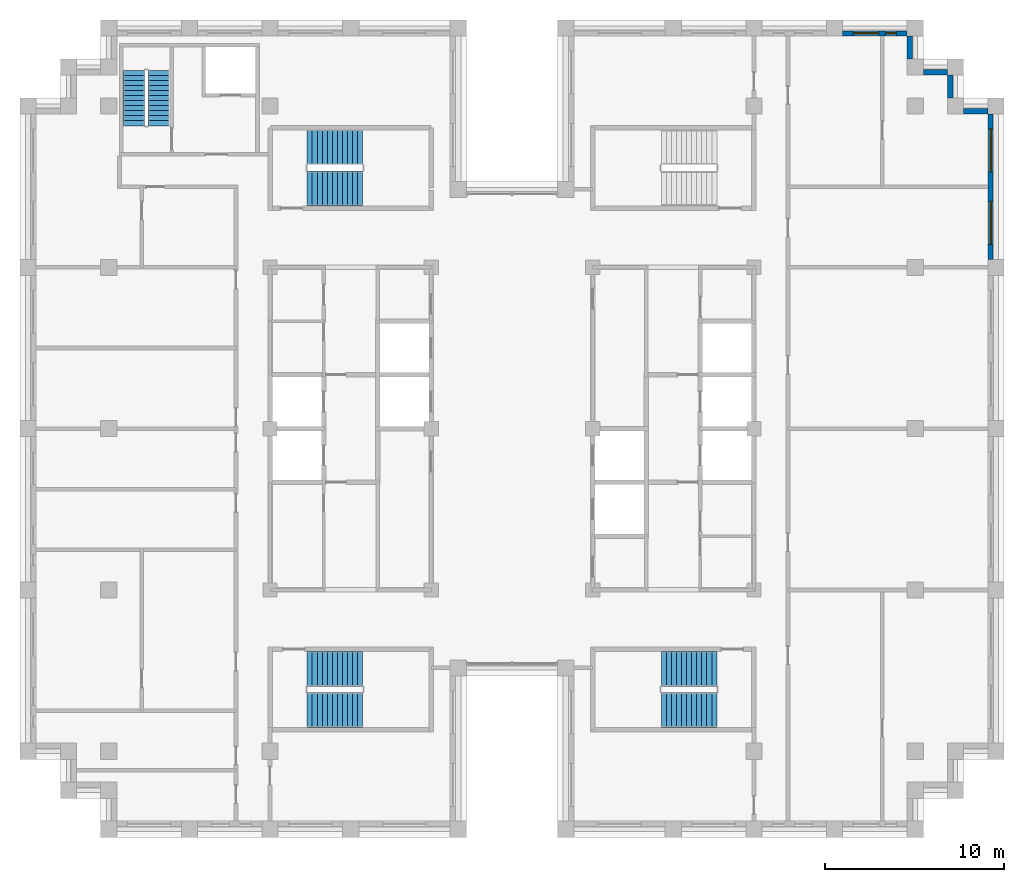
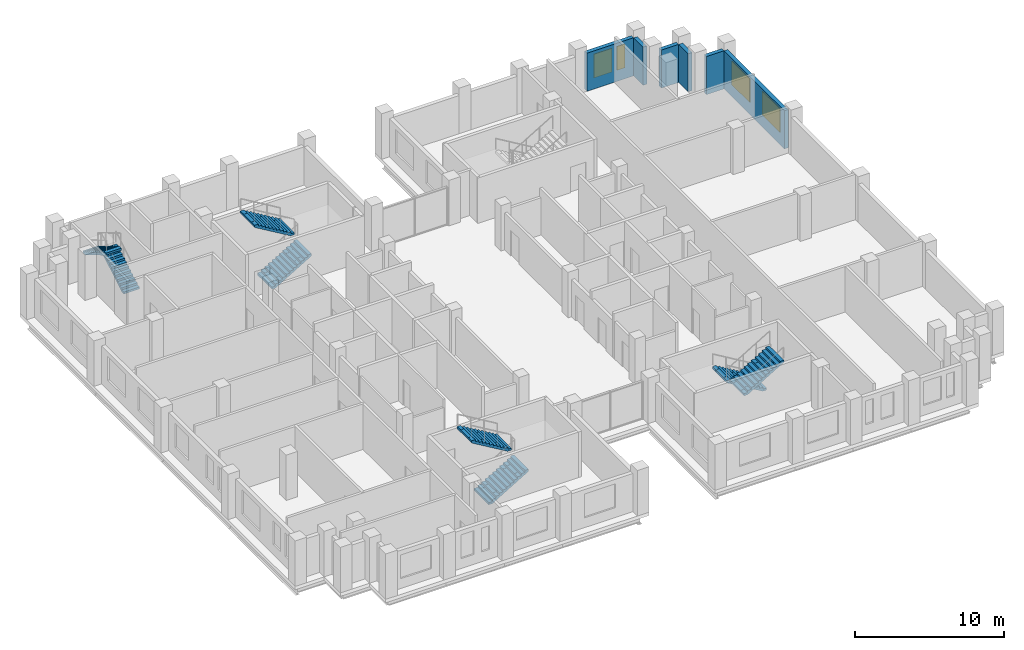
# One storey, part 11 of 13: 8 stair flights, 6 walls, 4 windows, 4 openings, 4 elements without a shape of their own.
"""IFC4 building model written with IfcOpenShell, lengths in metres."""

import ifcopenshell
import ifcopenshell.guid

model = None  # the IFC model being written
_history = None  # IfcOwnerHistory: only IFC2X3 demands one
_inside = {}  # id of a spatial element -> (the spatial element, [elements in it])
_under = {}  # id of a project, library or spatial element -> (it, [spatial elements below it])
_declared = {}  # id of a project -> (the project, [libraries it declares])
_typed = {}  # id of a type object -> (the type object, [elements of that type])
_made_of = {}  # id of a material, layer set ... -> (it, [elements and type objects made of it])


def new_model(schema):
    """Start an empty IFC model of exactly this schema.

    Asked for "IFC4X3", IfcOpenShell would pick the latest addendum, in which some entities
    have other attributes; the version numbers below select the first issue.
    IFC2X3 requires an IfcOwnerHistory on every rooted entity: one is made here for all.
    """
    global model, _history
    if schema == "IFC4X3":
        model = ifcopenshell.file(schema_version=(4, 3, 0, 0))
    else:
        model = ifcopenshell.file(schema=schema)
    _inside.clear()
    _under.clear()
    _declared.clear()
    _typed.clear()
    _made_of.clear()
    _history = None
    if model.schema == "IFC2X3":
        org = make("IfcOrganization", Name="unknown")
        user = make(
            "IfcPersonAndOrganization",
            ThePerson=make("IfcPerson", FamilyName="unknown"),
            TheOrganization=org,
        )
        app = make(
            "IfcApplication",
            ApplicationDeveloper=org,
            Version="unknown",
            ApplicationFullName="unknown",
            ApplicationIdentifier="unknown",
        )
        _history = make(
            "IfcOwnerHistory",
            OwningUser=user,
            OwningApplication=app,
            ChangeAction="ADDED",
            CreationDate=0,
        )
    return model


def make(cls, **values):
    """One entity of the class cls with the attributes given. An attribute that is None is left unset."""
    return model.create_entity(
        cls, **{name: value for name, value in values.items() if value is not None}
    )


def rooted(cls, **values):
    """An entity with a GlobalId (a new one), such as an element, a storey or a relation."""
    return make(cls, GlobalId=ifcopenshell.guid.new(), OwnerHistory=_history, **values)


def si_unit(unit_type, name, prefix=None):
    """IfcSIUnit, for example si_unit("LENGTHUNIT", "METRE", prefix="MILLI")."""
    return make("IfcSIUnit", UnitType=unit_type, Prefix=prefix, Name=name)


def assignment(units):
    """IfcUnitAssignment: the units of a project."""
    return None if units is None else make("IfcUnitAssignment", Units=units)


def point(xyz):
    """IfcCartesianPoint."""
    return None if xyz is None else make("IfcCartesianPoint", Coordinates=xyz)


def direction(xyz):
    """IfcDirection."""
    return None if xyz is None else make("IfcDirection", DirectionRatios=xyz)


def frame(location, z_axis=None, x_axis=None):
    """IfcAxis2Placement3D, a coordinate frame: its origin and axes. An axis left out is left unset."""
    return make(
        "IfcAxis2Placement3D",
        Location=point(location),
        Axis=direction(z_axis),
        RefDirection=direction(x_axis),
    )


def frame_2d(location, x_axis=None):
    """IfcAxis2Placement2D, a coordinate frame in the plane: its origin and x axis."""
    return make(
        "IfcAxis2Placement2D", Location=point(location), RefDirection=direction(x_axis)
    )


def origin():
    """The frame at (0, 0, 0) with its axes left unset."""
    return frame((0.0, 0.0, 0.0))


def place(relative_to, where):
    """IfcLocalPlacement: puts the frame where relative to a parent placement (None: the world)."""
    return make(
        "IfcLocalPlacement", PlacementRelTo=relative_to, RelativePlacement=where
    )


def context(
    kind, dimensions, precision=None, world=None, true_north=None, identifier=None
):
    """IfcGeometricRepresentationContext, for example the 3D "Model" context."""
    return make(
        "IfcGeometricRepresentationContext",
        ContextIdentifier=identifier,
        ContextType=kind,
        CoordinateSpaceDimension=dimensions,
        Precision=precision,
        WorldCoordinateSystem=world,
        TrueNorth=true_north,
    )


def subcontext(parent, identifier, kind, view, scale=None):
    """IfcGeometricRepresentationSubContext, for example "Body" below "Model"."""
    return make(
        "IfcGeometricRepresentationSubContext",
        ContextIdentifier=identifier,
        ContextType=kind,
        ParentContext=parent,
        TargetScale=scale,
        TargetView=view,
    )


def project(units=None, contexts=None):
    """IfcProject with its units and contexts."""
    return rooted(
        "IfcProject",
        Name="project",
        RepresentationContexts=contexts,
        UnitsInContext=assignment(units),
    )


def spatial(cls, under=None, at=None, **own):
    """A site, building, storey or space (cls), placed at a placement, below another one or the project."""
    s = rooted(cls, ObjectPlacement=at, **own)
    if under is not None:
        _under.setdefault(under.id(), (under, []))[1].append(s)
    return s


def polyline(points):
    """IfcPolyline through the points."""
    return make("IfcPolyline", Points=[point(p) for p in points])


def profile(cls, at=None, kind="AREA", **sizes):
    """A parametric profile (cls). Its sizes go by their IFC names, for example OverallWidth=200.0."""
    return make(cls, ProfileType=kind, Position=at, **sizes)


def rectangle(**sizes):
    """IfcRectangleProfileDef."""
    return profile("IfcRectangleProfileDef", **sizes)


def outline(outer, holes=None, kind="AREA"):
    """IfcArbitraryClosedProfileDef: a profile drawn as a closed curve; with holes, ...WithVoids."""
    if holes is None:
        return make("IfcArbitraryClosedProfileDef", ProfileType=kind, OuterCurve=outer)
    return make(
        "IfcArbitraryProfileDefWithVoids",
        ProfileType=kind,
        OuterCurve=outer,
        InnerCurves=holes,
    )


def extrude(swept, where, along, depth):
    """IfcExtrudedAreaSolid: the profile swept, set in the frame where, extruded along a direction by depth."""
    return make(
        "IfcExtrudedAreaSolid",
        SweptArea=swept,
        Position=where,
        ExtrudedDirection=direction(along),
        Depth=depth,
    )


def shape(context_of_items, identifier, shape_type, items):
    """IfcShapeRepresentation: the items that make up one representation, for example the "Body"."""
    return make(
        "IfcShapeRepresentation",
        ContextOfItems=context_of_items,
        RepresentationIdentifier=identifier,
        RepresentationType=shape_type,
        Items=items,
    )


def material(Name=None, Category=None):
    """IfcMaterial."""
    return make("IfcMaterial", Name=Name, Category=Category)


def layer(
    of_material, thickness, ventilated=None, Name=None, Category=None, Priority=None
):
    """IfcMaterialLayer: one layer of a wall or slab, of a material (None: an air gap)."""
    return make(
        "IfcMaterialLayer",
        Material=of_material,
        LayerThickness=thickness,
        IsVentilated=ventilated,
        Name=Name,
        Category=Category,
        Priority=Priority,
    )


def layer_set(layers, Name=None):
    """IfcMaterialLayerSet."""
    return make("IfcMaterialLayerSet", MaterialLayers=layers, LayerSetName=Name)


def made_of(thing, what):
    """Note that an element or type object is made of a material, layer set ...; save() writes the relation."""
    if what is not None:
        _made_of.setdefault(what.id(), (what, []))[1].append(thing)
    return thing


def type_object(cls, material=None, **own):
    """A type object (cls), such as IfcWallType, which elements share."""
    return made_of(rooted(cls, **own), material)


def element(
    cls,
    number,
    at=None,
    inside=None,
    cuts=None,
    type_object=None,
    material=None,
    context=None,
    identifier="Body",
    shape_type=None,
    held_by="IfcProductDefinitionShape",
    body=None,
    shapes=None,
    **own,
):
    """One element of the class cls, such as IfcWall. Its Tag is "e" and its number.

    at: its placement. inside: the storey or other place that contains it. cuts: it is an
    opening in that element (IfcRelVoidsElement). A single representation is given by context,
    identifier, shape_type and body (its items); several are given by shapes. held_by: the class
    of the entity that holds the representations. save() writes the other relations.
    """
    e = rooted(cls, Tag="e%d" % number, ObjectPlacement=at, **own)
    if body is not None:
        shapes = [shape(context, identifier, shape_type, body)]
    if shapes is not None:
        e.Representation = make(held_by, Representations=shapes)
    if inside is not None:
        _inside.setdefault(inside.id(), (inside, []))[1].append(e)
    if cuts is not None:
        rooted(
            "IfcRelVoidsElement", RelatingBuildingElement=cuts, RelatedOpeningElement=e
        )
    if type_object is not None:
        _typed.setdefault(type_object.id(), (type_object, []))[1].append(e)
    return made_of(e, material)


def fill(opening, filler):
    """IfcRelFillsElement: the door or window that sits in an opening."""
    return rooted(
        "IfcRelFillsElement",
        RelatingOpeningElement=opening,
        RelatedBuildingElement=filler,
    )


def aggregate(whole, parts):
    """IfcRelAggregates: a whole, such as a stair, and the parts it consists of."""
    return rooted("IfcRelAggregates", RelatingObject=whole, RelatedObjects=parts)


def save(model, path):
    """Write the relations noted so far, then the file.

    IfcRelAggregates (storeys below a building ...), IfcRelContainedInSpatialStructure (elements
    in a storey), IfcRelDefinesByType, IfcRelAssociatesMaterial and IfcRelDeclares: one each for
    every whole, place, type object, material and project.
    """
    for whole, parts in _under.values():
        aggregate(whole, parts)
    for where, things in _inside.values():
        rooted(
            "IfcRelContainedInSpatialStructure",
            RelatedElements=things,
            RelatingStructure=where,
        )
    for kind, things in _typed.values():
        rooted("IfcRelDefinesByType", RelatedObjects=things, RelatingType=kind)
    for what, things in _made_of.values():
        rooted("IfcRelAssociatesMaterial", RelatedObjects=things, RelatingMaterial=what)
    for by, libraries in _declared.values():
        rooted("IfcRelDeclares", RelatingContext=by, RelatedDefinitions=libraries)
    model.write(path)


model = new_model("IFC4")

# Units and contexts
model_context = context("Model", 3, precision=1e-05, world=origin(), true_north=direction((0.0, 1.0)))
body_context = subcontext(model_context, "Body", "Model", "MODEL_VIEW")
ifc_project = project(units=[si_unit("LENGTHUNIT", "METRE"), si_unit("AREAUNIT", "SQUARE_METRE"), si_unit("VOLUMEUNIT", "CUBIC_METRE"), si_unit("PLANEANGLEUNIT", "RADIAN"), si_unit("MASSUNIT", "GRAM", prefix="KILO")], contexts=[model_context])

# Site, building, storey
site_placement = place(None, origin())
site = spatial("IfcSite", under=ifc_project, at=site_placement, CompositionType="ELEMENT")
building_placement = place(site_placement, origin())
building = spatial("IfcBuilding", under=site, at=building_placement, Name="Corbelhall Arena Tower", CompositionType="ELEMENT")
storey_placement = place(building_placement, frame((0.0, 0.0, 282.0)))
storey = spatial("IfcBuildingStorey", under=building, at=storey_placement, Name="L61", CompositionType="ELEMENT", Elevation=282.0)

# Wall, openings, windows
ifc_material_1 = material(Name="Precast concrete C40/50 with granite facing", Category="masonry")
ifc_layer = layer(ifc_material_1, 0.300048828125)
ifc_layer_set = layer_set([ifc_layer], Name="EV-IW1 Infill panel 300")
wall_type = type_object("IfcWallType", Name="EV-IW1 Infill panel 300", PredefinedType="SOLIDWALL", material=ifc_layer_set)
wall_1_placement = place(storey_placement, frame((26.699951171875, 9.449951171875, 0.0), z_axis=(0.0, 0.0, 1.0), x_axis=(0.0, 1.0, 0.0)))
wall_1 = element("IfcWall", 1, at=wall_1_placement, inside=storey, type_object=wall_type, Name="Infill panel IW1", PredefinedType="SOLIDWALL", context=body_context, shape_type="SweptSolid", body=[
    extrude(rectangle(XDim=8.10009765625, YDim=0.300048828125, at=frame_2d((4.050048828125, 0.0))), origin(), (0.0, 0.0, 1.0), 3.1201171875),
])
opening_1_placement = place(wall_1_placement, frame((0.824951171875, 0.0, 0.800048828125)))
opening_1 = element("IfcOpeningElement", 2, at=opening_1_placement, cuts=wall_1, Name="Opening WN1", PredefinedType="OPENING", context=body_context, shape_type="SweptSolid", body=[
    extrude(rectangle(XDim=2.39990234375, YDim=1.949951171875, at=frame_2d((1.199951171875, 0.97509765625))), frame((0.0, 0.14990234375, 0.0), z_axis=(0.0, -1.0, 0.0), x_axis=(1.0, 0.0, 0.0)), (0.0, 0.0, 1.0), 0.300048828125),
])
opening_2_placement = place(wall_1_placement, frame((4.875, 0.0, 0.800048828125)))
opening_2 = element("IfcOpeningElement", 3, at=opening_2_placement, cuts=wall_1, Name="Opening WN1", PredefinedType="OPENING", context=body_context, shape_type="SweptSolid", body=[
    extrude(rectangle(XDim=2.39990234375, YDim=1.949951171875, at=frame_2d((1.199951171875, 0.97509765625))), frame((0.0, 0.14990234375, 0.0), z_axis=(0.0, -1.0, 0.0), x_axis=(1.0, 0.0, 0.0)), (0.0, 0.0, 1.0), 0.300048828125),
])
ifc_material_2 = material(Name="Aluminium black anodised", Category="aluminium")
window_type_1 = type_object("IfcWindowType", Name="EV-WN1 Office window", PartitioningType="SINGLE_PANEL", PredefinedType="WINDOW", material=ifc_material_2)
window_1_placement = place(opening_1_placement, origin())
window_1 = element("IfcWindow", 4, at=window_1_placement, inside=storey, type_object=window_type_1, Name="Window WN1", OverallHeight=1.949951171875, OverallWidth=2.39990234375, PartitioningType="SINGLE_PANEL", PredefinedType="WINDOW", context=body_context, shape_type="SweptSolid", body=[
    extrude(rectangle(XDim=2.39990234375, YDim=1.949951171875, at=frame_2d((1.199951171875, 0.97509765625))), frame((0.0, 0.030029296875, 0.0), z_axis=(0.0, -1.0, 0.0), x_axis=(1.0, 0.0, 0.0)), (0.0, 0.0, 1.0), 0.06005859375),
])
fill(opening_1, window_1)
window_2_placement = place(opening_2_placement, origin())
window_2 = element("IfcWindow", 5, at=window_2_placement, inside=storey, type_object=window_type_1, Name="Window WN1", OverallHeight=1.949951171875, OverallWidth=2.39990234375, PartitioningType="SINGLE_PANEL", PredefinedType="WINDOW", context=body_context, shape_type="SweptSolid", body=[
    extrude(rectangle(XDim=2.39990234375, YDim=1.949951171875, at=frame_2d((1.199951171875, 0.97509765625))), frame((0.0, 0.030029296875, 0.0), z_axis=(0.0, -1.0, 0.0), x_axis=(1.0, 0.0, 0.0)), (0.0, 0.0, 1.0), 0.06005859375),
])
fill(opening_2, window_2)

# Walls
wall_2_placement = place(storey_placement, frame((26.550048828125, 17.699951171875, 0.0), z_axis=(0.0, 0.0, 1.0), x_axis=(-1.0, 0.0, 0.0)))
element("IfcWall", 6, at=wall_2_placement, inside=storey, type_object=wall_type, Name="Infill panel IW1", PredefinedType="SOLIDWALL", context=body_context, shape_type="SweptSolid", body=[
    extrude(rectangle(XDim=1.35009765625, YDim=0.300048828125, at=frame_2d((0.675048828125, 0.0))), origin(), (0.0, 0.0, 1.0), 3.1201171875),
])
wall_3_placement = place(storey_placement, frame((24.449951171875, 18.449951171875, 0.0), z_axis=(0.0, 0.0, 1.0), x_axis=(0.0, 1.0, 0.0)))
element("IfcWall", 7, at=wall_3_placement, inside=storey, type_object=wall_type, Name="Infill panel IW1", PredefinedType="SOLIDWALL", context=body_context, shape_type="SweptSolid", body=[
    extrude(rectangle(XDim=1.275146484375, YDim=0.300048828125, at=frame_2d((0.6376953125, 0.0))), origin(), (0.0, 0.0, 1.0), 3.1201171875),
])
wall_4_placement = place(storey_placement, frame((24.300048828125, 19.875, 0.0), z_axis=(0.0, 0.0, 1.0), x_axis=(-1.0, 0.0, 0.0)))
element("IfcWall", 8, at=wall_4_placement, inside=storey, type_object=wall_type, Name="Infill panel IW1", PredefinedType="SOLIDWALL", context=body_context, shape_type="SweptSolid", body=[
    extrude(rectangle(XDim=1.35009765625, YDim=0.300048828125, at=frame_2d((0.675048828125, 0.0))), origin(), (0.0, 0.0, 1.0), 3.1201171875),
])
wall_5_placement = place(storey_placement, frame((22.199951171875, 20.625, 0.0), z_axis=(0.0, 0.0, 1.0), x_axis=(0.0, 1.0, 0.0)))
element("IfcWall", 9, at=wall_5_placement, inside=storey, type_object=wall_type, Name="Infill panel IW1", PredefinedType="SOLIDWALL", context=body_context, shape_type="SweptSolid", body=[
    extrude(rectangle(XDim=1.27490234375, YDim=0.300048828125, at=frame_2d((0.637451171875, 0.0))), origin(), (0.0, 0.0, 1.0), 3.1201171875),
])

# Wall, openings, windows
wall_6_placement = place(storey_placement, frame((22.050048828125, 22.050048828125, 0.0), z_axis=(0.0, 0.0, 1.0), x_axis=(-1.0, 0.0, 0.0)))
wall_6 = element("IfcWall", 10, at=wall_6_placement, inside=storey, type_object=wall_type, Name="Infill panel IW1", PredefinedType="SOLIDWALL", context=body_context, shape_type="SweptSolid", body=[
    extrude(rectangle(XDim=3.60009765625, YDim=0.300048828125, at=frame_2d((1.800048828125, 0.0))), origin(), (0.0, 0.0, 1.0), 3.1201171875),
])
opening_3_placement = place(wall_6_placement, frame((0.60009765625, 0.0, 0.800048828125)))
opening_3 = element("IfcOpeningElement", 11, at=opening_3_placement, cuts=wall_6, Name="Opening WN5", PredefinedType="OPENING", context=body_context, shape_type="SweptSolid", body=[
    extrude(rectangle(XDim=0.60009765625, YDim=1.949951171875, at=frame_2d((0.300048828125, 0.97509765625))), frame((0.0, 0.14990234375, 0.0), z_axis=(0.0, -1.0, 0.0), x_axis=(1.0, 0.0, 0.0)), (0.0, 0.0, 1.0), 0.300048828125),
])
opening_4_placement = place(wall_6_placement, frame((1.60009765625, 0.0, 0.800048828125)))
opening_4 = element("IfcOpeningElement", 12, at=opening_4_placement, cuts=wall_6, Name="Opening WN7", PredefinedType="OPENING", context=body_context, shape_type="SweptSolid", body=[
    extrude(rectangle(XDim=1.39990234375, YDim=1.949951171875, at=frame_2d((0.699951171875, 0.97509765625))), frame((0.0, 0.14990234375, 0.0), z_axis=(0.0, -1.0, 0.0), x_axis=(1.0, 0.0, 0.0)), (0.0, 0.0, 1.0), 0.300048828125),
])
window_type_2 = type_object("IfcWindowType", Name="EV-WN5 Office window 600", PartitioningType="SINGLE_PANEL", PredefinedType="WINDOW", material=ifc_material_2)
window_3_placement = place(opening_3_placement, origin())
window_3 = element("IfcWindow", 13, at=window_3_placement, inside=storey, type_object=window_type_2, Name="Window WN5", OverallHeight=1.949951171875, OverallWidth=0.60009765625, PartitioningType="SINGLE_PANEL", PredefinedType="WINDOW", context=body_context, shape_type="SweptSolid", body=[
    extrude(rectangle(XDim=0.60009765625, YDim=1.949951171875, at=frame_2d((0.300048828125, 0.97509765625))), frame((0.0, 0.030029296875, 0.0), z_axis=(0.0, -1.0, 0.0), x_axis=(1.0, 0.0, 0.0)), (0.0, 0.0, 1.0), 0.06005859375),
])
fill(opening_3, window_3)
window_type_3 = type_object("IfcWindowType", Name="EV-WN7 Office window 1400", PartitioningType="SINGLE_PANEL", PredefinedType="WINDOW", material=ifc_material_2)
window_4_placement = place(opening_4_placement, origin())
window_4 = element("IfcWindow", 14, at=window_4_placement, inside=storey, type_object=window_type_3, Name="Window WN7", OverallHeight=1.949951171875, OverallWidth=1.39990234375, PartitioningType="SINGLE_PANEL", PredefinedType="WINDOW", context=body_context, shape_type="SweptSolid", body=[
    extrude(rectangle(XDim=1.39990234375, YDim=1.949951171875, at=frame_2d((0.699951171875, 0.97509765625))), frame((0.0, 0.030029296875, 0.0), z_axis=(0.0, -1.0, 0.0), x_axis=(1.0, 0.0, 0.0)), (0.0, 0.0, 1.0), 0.06005859375),
])
fill(opening_4, window_4)

# Stair, stair flights
ifc_material_3 = material(Name="Concrete C40/50", Category="concrete")
stair_type = type_object("IfcStairType", Name="IN-ST-TOWER", PredefinedType="HALF_TURN_STAIR", material=ifc_material_3)
stair_1_placement = place(storey_placement, origin())
stair_1 = element("IfcStair", 15, at=stair_1_placement, inside=storey, type_object=stair_type, Name="L61 Exit stair ST1", PredefinedType="HALF_TURN_STAIR")
stair_flight_type = type_object("IfcStairFlightType", Name="IN-SFL-RC", PredefinedType="STRAIGHT", material=ifc_material_3)
stair_flight_1_placement = place(storey_placement, frame((-11.425048828125, 13.39990234375, 0.0), z_axis=(0.0, 0.0, 1.0), x_axis=(1.0, 0.0, 0.0)))
stair_flight_1 = element("IfcStairFlight", 16, at=stair_flight_1_placement, type_object=stair_flight_type, Name="ST1 flight 1", NumberOfRisers=12, NumberOfTreads=11, PredefinedType="STRAIGHT", RiserHeight=0.166666667, TreadLength=0.28, context=body_context, shape_type="SweptSolid", body=[
    extrude(outline(polyline([(0.0, 0.0), (0.0, 0.166748046875), (0.280029296875, 0.166748046875), (0.280029296875, 0.333251953125), (0.56005859375, 0.333251953125), (0.56005859375, 0.5), (0.840087890625, 0.5), (0.840087890625, 0.666748046875), (1.1201171875, 0.666748046875), (1.1201171875, 0.833251953125), (1.39990234375, 0.833251953125), (1.39990234375, 1.0), (1.679931640625, 1.0), (1.679931640625, 1.166748046875), (1.9599609375, 1.166748046875), (1.9599609375, 1.333251953125), (2.239990234375, 1.333251953125), (2.239990234375, 1.5), (2.52001953125, 1.5), (2.52001953125, 1.666748046875), (2.800048828125, 1.666748046875), (2.800048828125, 1.833251953125), (3.080078125, 1.833251953125), (3.080078125, 2.0), (3.080078125, 1.658935546875), (0.29296875, 0.0), (0.0, 0.0)])), frame((0.0, 0.97509765625, 0.0), z_axis=(0.0, -1.0, 0.0), x_axis=(1.0, 0.0, 0.0)), (0.0, 0.0, 1.0), 0.449951171875),
    extrude(outline(polyline([(0.0, 0.0), (0.0, 0.166748046875), (0.280029296875, 0.166748046875), (0.280029296875, 0.333251953125), (0.56005859375, 0.333251953125), (0.56005859375, 0.5), (0.840087890625, 0.5), (0.840087890625, 0.666748046875), (1.1201171875, 0.666748046875), (1.1201171875, 0.833251953125), (1.39990234375, 0.833251953125), (1.39990234375, 1.0), (1.679931640625, 1.0), (1.679931640625, 1.166748046875), (1.9599609375, 1.166748046875), (1.9599609375, 1.333251953125), (2.239990234375, 1.333251953125), (2.239990234375, 1.5), (2.52001953125, 1.5), (2.52001953125, 1.666748046875), (2.800048828125, 1.666748046875), (2.800048828125, 1.833251953125), (3.080078125, 1.833251953125), (3.080078125, 2.0), (3.080078125, 1.658935546875), (0.29296875, 0.0), (0.0, 0.0)])), frame((0.0, 0.52099609375, 0.0), z_axis=(0.0, -1.0, 0.0), x_axis=(1.0, 0.0, 0.0)), (0.0, 0.0, 1.0), 1.0419921875),
    extrude(outline(polyline([(0.0, 0.0), (0.0, 0.166748046875), (0.280029296875, 0.166748046875), (0.280029296875, 0.333251953125), (0.56005859375, 0.333251953125), (0.56005859375, 0.5), (0.840087890625, 0.5), (0.840087890625, 0.666748046875), (1.1201171875, 0.666748046875), (1.1201171875, 0.833251953125), (1.39990234375, 0.833251953125), (1.39990234375, 1.0), (1.679931640625, 1.0), (1.679931640625, 1.166748046875), (1.9599609375, 1.166748046875), (1.9599609375, 1.333251953125), (2.239990234375, 1.333251953125), (2.239990234375, 1.5), (2.52001953125, 1.5), (2.52001953125, 1.666748046875), (2.800048828125, 1.666748046875), (2.800048828125, 1.833251953125), (3.080078125, 1.833251953125), (3.080078125, 2.0), (3.080078125, 1.658935546875), (0.29296875, 0.0), (0.0, 0.0)])), frame((0.0, -0.52490234375, 0.0), z_axis=(0.0, -1.0, 0.0), x_axis=(1.0, 0.0, 0.0)), (0.0, 0.0, 1.0), 0.449951171875),
])
stair_flight_2_placement = place(storey_placement, frame((-8.344970703125, 15.699951171875, 2.0), z_axis=(0.0, 0.0, 1.0), x_axis=(-1.0, 0.0, 0.0)))
stair_flight_2 = element("IfcStairFlight", 17, at=stair_flight_2_placement, type_object=stair_flight_type, Name="ST1 flight 2", NumberOfRisers=12, NumberOfTreads=11, PredefinedType="STRAIGHT", RiserHeight=0.166666667, TreadLength=0.28, context=body_context, shape_type="SweptSolid", body=[
    extrude(outline(polyline([(0.0, 0.0), (0.0, 0.166748046875), (0.280029296875, 0.166748046875), (0.280029296875, 0.333251953125), (0.56005859375, 0.333251953125), (0.56005859375, 0.5), (0.840087890625, 0.5), (0.840087890625, 0.666748046875), (1.1201171875, 0.666748046875), (1.1201171875, 0.833251953125), (1.39990234375, 0.833251953125), (1.39990234375, 1.0), (1.679931640625, 1.0), (1.679931640625, 1.166748046875), (1.9599609375, 1.166748046875), (1.9599609375, 1.333251953125), (2.239990234375, 1.333251953125), (2.239990234375, 1.5), (2.52001953125, 1.5), (2.52001953125, 1.666748046875), (2.800048828125, 1.666748046875), (2.800048828125, 1.833251953125), (3.080078125, 1.833251953125), (3.080078125, 2.0), (3.080078125, 1.658935546875), (0.29296875, 0.0), (0.0, 0.0)])), frame((0.0, 0.97509765625, 0.0), z_axis=(0.0, -1.0, 0.0), x_axis=(1.0, 0.0, 0.0)), (0.0, 0.0, 1.0), 0.449951171875),
    extrude(outline(polyline([(0.0, 0.0), (0.0, 0.166748046875), (0.280029296875, 0.166748046875), (0.280029296875, 0.333251953125), (0.56005859375, 0.333251953125), (0.56005859375, 0.5), (0.840087890625, 0.5), (0.840087890625, 0.666748046875), (1.1201171875, 0.666748046875), (1.1201171875, 0.833251953125), (1.39990234375, 0.833251953125), (1.39990234375, 1.0), (1.679931640625, 1.0), (1.679931640625, 1.166748046875), (1.9599609375, 1.166748046875), (1.9599609375, 1.333251953125), (2.239990234375, 1.333251953125), (2.239990234375, 1.5), (2.52001953125, 1.5), (2.52001953125, 1.666748046875), (2.800048828125, 1.666748046875), (2.800048828125, 1.833251953125), (3.080078125, 1.833251953125), (3.080078125, 2.0), (3.080078125, 1.658935546875), (0.29296875, 0.0), (0.0, 0.0)])), frame((0.0, 0.52099609375, 0.0), z_axis=(0.0, -1.0, 0.0), x_axis=(1.0, 0.0, 0.0)), (0.0, 0.0, 1.0), 1.0419921875),
    extrude(outline(polyline([(0.0, 0.0), (0.0, 0.166748046875), (0.280029296875, 0.166748046875), (0.280029296875, 0.333251953125), (0.56005859375, 0.333251953125), (0.56005859375, 0.5), (0.840087890625, 0.5), (0.840087890625, 0.666748046875), (1.1201171875, 0.666748046875), (1.1201171875, 0.833251953125), (1.39990234375, 0.833251953125), (1.39990234375, 1.0), (1.679931640625, 1.0), (1.679931640625, 1.166748046875), (1.9599609375, 1.166748046875), (1.9599609375, 1.333251953125), (2.239990234375, 1.333251953125), (2.239990234375, 1.5), (2.52001953125, 1.5), (2.52001953125, 1.666748046875), (2.800048828125, 1.666748046875), (2.800048828125, 1.833251953125), (3.080078125, 1.833251953125), (3.080078125, 2.0), (3.080078125, 1.658935546875), (0.29296875, 0.0), (0.0, 0.0)])), frame((0.0, -0.52490234375, 0.0), z_axis=(0.0, -1.0, 0.0), x_axis=(1.0, 0.0, 0.0)), (0.0, 0.0, 1.0), 0.449951171875),
])
aggregate(stair_1, [stair_flight_1, stair_flight_2])

stair_2_placement = place(storey_placement, origin())
stair_2 = element("IfcStair", 18, at=stair_2_placement, inside=storey, type_object=stair_type, Name="L61 Exit stair ST2", PredefinedType="HALF_TURN_STAIR")
stair_flight_3_placement = place(storey_placement, frame((-11.425048828125, -15.699951171875, 0.0), z_axis=(0.0, 0.0, 1.0), x_axis=(1.0, 0.0, 0.0)))
stair_flight_3 = element("IfcStairFlight", 19, at=stair_flight_3_placement, type_object=stair_flight_type, Name="ST2 flight 1", NumberOfRisers=12, NumberOfTreads=11, PredefinedType="STRAIGHT", RiserHeight=0.166666667, TreadLength=0.28, context=body_context, shape_type="SweptSolid", body=[
    extrude(outline(polyline([(0.0, 0.0), (0.0, 0.166748046875), (0.280029296875, 0.166748046875), (0.280029296875, 0.333251953125), (0.56005859375, 0.333251953125), (0.56005859375, 0.5), (0.840087890625, 0.5), (0.840087890625, 0.666748046875), (1.1201171875, 0.666748046875), (1.1201171875, 0.833251953125), (1.39990234375, 0.833251953125), (1.39990234375, 1.0), (1.679931640625, 1.0), (1.679931640625, 1.166748046875), (1.9599609375, 1.166748046875), (1.9599609375, 1.333251953125), (2.239990234375, 1.333251953125), (2.239990234375, 1.5), (2.52001953125, 1.5), (2.52001953125, 1.666748046875), (2.800048828125, 1.666748046875), (2.800048828125, 1.833251953125), (3.080078125, 1.833251953125), (3.080078125, 2.0), (3.080078125, 1.658935546875), (0.29296875, 0.0), (0.0, 0.0)])), frame((0.0, 0.97509765625, 0.0), z_axis=(0.0, -1.0, 0.0), x_axis=(1.0, 0.0, 0.0)), (0.0, 0.0, 1.0), 0.449951171875),
    extrude(outline(polyline([(0.0, 0.0), (0.0, 0.166748046875), (0.280029296875, 0.166748046875), (0.280029296875, 0.333251953125), (0.56005859375, 0.333251953125), (0.56005859375, 0.5), (0.840087890625, 0.5), (0.840087890625, 0.666748046875), (1.1201171875, 0.666748046875), (1.1201171875, 0.833251953125), (1.39990234375, 0.833251953125), (1.39990234375, 1.0), (1.679931640625, 1.0), (1.679931640625, 1.166748046875), (1.9599609375, 1.166748046875), (1.9599609375, 1.333251953125), (2.239990234375, 1.333251953125), (2.239990234375, 1.5), (2.52001953125, 1.5), (2.52001953125, 1.666748046875), (2.800048828125, 1.666748046875), (2.800048828125, 1.833251953125), (3.080078125, 1.833251953125), (3.080078125, 2.0), (3.080078125, 1.658935546875), (0.29296875, 0.0), (0.0, 0.0)])), frame((0.0, 0.52099609375, 0.0), z_axis=(0.0, -1.0, 0.0), x_axis=(1.0, 0.0, 0.0)), (0.0, 0.0, 1.0), 1.0419921875),
    extrude(outline(polyline([(0.0, 0.0), (0.0, 0.166748046875), (0.280029296875, 0.166748046875), (0.280029296875, 0.333251953125), (0.56005859375, 0.333251953125), (0.56005859375, 0.5), (0.840087890625, 0.5), (0.840087890625, 0.666748046875), (1.1201171875, 0.666748046875), (1.1201171875, 0.833251953125), (1.39990234375, 0.833251953125), (1.39990234375, 1.0), (1.679931640625, 1.0), (1.679931640625, 1.166748046875), (1.9599609375, 1.166748046875), (1.9599609375, 1.333251953125), (2.239990234375, 1.333251953125), (2.239990234375, 1.5), (2.52001953125, 1.5), (2.52001953125, 1.666748046875), (2.800048828125, 1.666748046875), (2.800048828125, 1.833251953125), (3.080078125, 1.833251953125), (3.080078125, 2.0), (3.080078125, 1.658935546875), (0.29296875, 0.0), (0.0, 0.0)])), frame((0.0, -0.52490234375, 0.0), z_axis=(0.0, -1.0, 0.0), x_axis=(1.0, 0.0, 0.0)), (0.0, 0.0, 1.0), 0.449951171875),
])
stair_flight_4_placement = place(storey_placement, frame((-8.344970703125, -13.39990234375, 2.0), z_axis=(0.0, 0.0, 1.0), x_axis=(-1.0, 0.0, 0.0)))
stair_flight_4 = element("IfcStairFlight", 20, at=stair_flight_4_placement, type_object=stair_flight_type, Name="ST2 flight 2", NumberOfRisers=12, NumberOfTreads=11, PredefinedType="STRAIGHT", RiserHeight=0.166666667, TreadLength=0.28, context=body_context, shape_type="SweptSolid", body=[
    extrude(outline(polyline([(0.0, 0.0), (0.0, 0.166748046875), (0.280029296875, 0.166748046875), (0.280029296875, 0.333251953125), (0.56005859375, 0.333251953125), (0.56005859375, 0.5), (0.840087890625, 0.5), (0.840087890625, 0.666748046875), (1.1201171875, 0.666748046875), (1.1201171875, 0.833251953125), (1.39990234375, 0.833251953125), (1.39990234375, 1.0), (1.679931640625, 1.0), (1.679931640625, 1.166748046875), (1.9599609375, 1.166748046875), (1.9599609375, 1.333251953125), (2.239990234375, 1.333251953125), (2.239990234375, 1.5), (2.52001953125, 1.5), (2.52001953125, 1.666748046875), (2.800048828125, 1.666748046875), (2.800048828125, 1.833251953125), (3.080078125, 1.833251953125), (3.080078125, 2.0), (3.080078125, 1.658935546875), (0.29296875, 0.0), (0.0, 0.0)])), frame((0.0, 0.97509765625, 0.0), z_axis=(0.0, -1.0, 0.0), x_axis=(1.0, 0.0, 0.0)), (0.0, 0.0, 1.0), 0.449951171875),
    extrude(outline(polyline([(0.0, 0.0), (0.0, 0.166748046875), (0.280029296875, 0.166748046875), (0.280029296875, 0.333251953125), (0.56005859375, 0.333251953125), (0.56005859375, 0.5), (0.840087890625, 0.5), (0.840087890625, 0.666748046875), (1.1201171875, 0.666748046875), (1.1201171875, 0.833251953125), (1.39990234375, 0.833251953125), (1.39990234375, 1.0), (1.679931640625, 1.0), (1.679931640625, 1.166748046875), (1.9599609375, 1.166748046875), (1.9599609375, 1.333251953125), (2.239990234375, 1.333251953125), (2.239990234375, 1.5), (2.52001953125, 1.5), (2.52001953125, 1.666748046875), (2.800048828125, 1.666748046875), (2.800048828125, 1.833251953125), (3.080078125, 1.833251953125), (3.080078125, 2.0), (3.080078125, 1.658935546875), (0.29296875, 0.0), (0.0, 0.0)])), frame((0.0, 0.52099609375, 0.0), z_axis=(0.0, -1.0, 0.0), x_axis=(1.0, 0.0, 0.0)), (0.0, 0.0, 1.0), 1.0419921875),
    extrude(outline(polyline([(0.0, 0.0), (0.0, 0.166748046875), (0.280029296875, 0.166748046875), (0.280029296875, 0.333251953125), (0.56005859375, 0.333251953125), (0.56005859375, 0.5), (0.840087890625, 0.5), (0.840087890625, 0.666748046875), (1.1201171875, 0.666748046875), (1.1201171875, 0.833251953125), (1.39990234375, 0.833251953125), (1.39990234375, 1.0), (1.679931640625, 1.0), (1.679931640625, 1.166748046875), (1.9599609375, 1.166748046875), (1.9599609375, 1.333251953125), (2.239990234375, 1.333251953125), (2.239990234375, 1.5), (2.52001953125, 1.5), (2.52001953125, 1.666748046875), (2.800048828125, 1.666748046875), (2.800048828125, 1.833251953125), (3.080078125, 1.833251953125), (3.080078125, 2.0), (3.080078125, 1.658935546875), (0.29296875, 0.0), (0.0, 0.0)])), frame((0.0, -0.52490234375, 0.0), z_axis=(0.0, -1.0, 0.0), x_axis=(1.0, 0.0, 0.0)), (0.0, 0.0, 1.0), 0.449951171875),
])
aggregate(stair_2, [stair_flight_3, stair_flight_4])

stair_3_placement = place(storey_placement, origin())
stair_3 = element("IfcStair", 21, at=stair_3_placement, inside=storey, type_object=stair_type, Name="L61 Exit stair ST4", PredefinedType="HALF_TURN_STAIR")
stair_flight_5_placement = place(storey_placement, frame((11.425048828125, -13.39990234375, 0.0), z_axis=(0.0, 0.0, 1.0), x_axis=(-1.0, 0.0, 0.0)))
stair_flight_5 = element("IfcStairFlight", 22, at=stair_flight_5_placement, type_object=stair_flight_type, Name="ST4 flight 1", NumberOfRisers=12, NumberOfTreads=11, PredefinedType="STRAIGHT", RiserHeight=0.166666667, TreadLength=0.28, context=body_context, shape_type="SweptSolid", body=[
    extrude(outline(polyline([(0.0, 0.0), (0.0, 0.166748046875), (0.280029296875, 0.166748046875), (0.280029296875, 0.333251953125), (0.56005859375, 0.333251953125), (0.56005859375, 0.5), (0.840087890625, 0.5), (0.840087890625, 0.666748046875), (1.1201171875, 0.666748046875), (1.1201171875, 0.833251953125), (1.39990234375, 0.833251953125), (1.39990234375, 1.0), (1.679931640625, 1.0), (1.679931640625, 1.166748046875), (1.9599609375, 1.166748046875), (1.9599609375, 1.333251953125), (2.239990234375, 1.333251953125), (2.239990234375, 1.5), (2.52001953125, 1.5), (2.52001953125, 1.666748046875), (2.800048828125, 1.666748046875), (2.800048828125, 1.833251953125), (3.080078125, 1.833251953125), (3.080078125, 2.0), (3.080078125, 1.658935546875), (0.29296875, 0.0), (0.0, 0.0)])), frame((0.0, 0.97509765625, 0.0), z_axis=(0.0, -1.0, 0.0), x_axis=(1.0, 0.0, 0.0)), (0.0, 0.0, 1.0), 0.449951171875),
    extrude(outline(polyline([(0.0, 0.0), (0.0, 0.166748046875), (0.280029296875, 0.166748046875), (0.280029296875, 0.333251953125), (0.56005859375, 0.333251953125), (0.56005859375, 0.5), (0.840087890625, 0.5), (0.840087890625, 0.666748046875), (1.1201171875, 0.666748046875), (1.1201171875, 0.833251953125), (1.39990234375, 0.833251953125), (1.39990234375, 1.0), (1.679931640625, 1.0), (1.679931640625, 1.166748046875), (1.9599609375, 1.166748046875), (1.9599609375, 1.333251953125), (2.239990234375, 1.333251953125), (2.239990234375, 1.5), (2.52001953125, 1.5), (2.52001953125, 1.666748046875), (2.800048828125, 1.666748046875), (2.800048828125, 1.833251953125), (3.080078125, 1.833251953125), (3.080078125, 2.0), (3.080078125, 1.658935546875), (0.29296875, 0.0), (0.0, 0.0)])), frame((0.0, 0.52099609375, 0.0), z_axis=(0.0, -1.0, 0.0), x_axis=(1.0, 0.0, 0.0)), (0.0, 0.0, 1.0), 1.0419921875),
    extrude(outline(polyline([(0.0, 0.0), (0.0, 0.166748046875), (0.280029296875, 0.166748046875), (0.280029296875, 0.333251953125), (0.56005859375, 0.333251953125), (0.56005859375, 0.5), (0.840087890625, 0.5), (0.840087890625, 0.666748046875), (1.1201171875, 0.666748046875), (1.1201171875, 0.833251953125), (1.39990234375, 0.833251953125), (1.39990234375, 1.0), (1.679931640625, 1.0), (1.679931640625, 1.166748046875), (1.9599609375, 1.166748046875), (1.9599609375, 1.333251953125), (2.239990234375, 1.333251953125), (2.239990234375, 1.5), (2.52001953125, 1.5), (2.52001953125, 1.666748046875), (2.800048828125, 1.666748046875), (2.800048828125, 1.833251953125), (3.080078125, 1.833251953125), (3.080078125, 2.0), (3.080078125, 1.658935546875), (0.29296875, 0.0), (0.0, 0.0)])), frame((0.0, -0.52490234375, 0.0), z_axis=(0.0, -1.0, 0.0), x_axis=(1.0, 0.0, 0.0)), (0.0, 0.0, 1.0), 0.449951171875),
])
stair_flight_6_placement = place(storey_placement, frame((8.344970703125, -15.699951171875, 2.0), z_axis=(0.0, 0.0, 1.0), x_axis=(1.0, 0.0, 0.0)))
stair_flight_6 = element("IfcStairFlight", 23, at=stair_flight_6_placement, type_object=stair_flight_type, Name="ST4 flight 2", NumberOfRisers=12, NumberOfTreads=11, PredefinedType="STRAIGHT", RiserHeight=0.166666667, TreadLength=0.28, context=body_context, shape_type="SweptSolid", body=[
    extrude(outline(polyline([(0.0, 0.0), (0.0, 0.166748046875), (0.280029296875, 0.166748046875), (0.280029296875, 0.333251953125), (0.56005859375, 0.333251953125), (0.56005859375, 0.5), (0.840087890625, 0.5), (0.840087890625, 0.666748046875), (1.1201171875, 0.666748046875), (1.1201171875, 0.833251953125), (1.39990234375, 0.833251953125), (1.39990234375, 1.0), (1.679931640625, 1.0), (1.679931640625, 1.166748046875), (1.9599609375, 1.166748046875), (1.9599609375, 1.333251953125), (2.239990234375, 1.333251953125), (2.239990234375, 1.5), (2.52001953125, 1.5), (2.52001953125, 1.666748046875), (2.800048828125, 1.666748046875), (2.800048828125, 1.833251953125), (3.080078125, 1.833251953125), (3.080078125, 2.0), (3.080078125, 1.658935546875), (0.29296875, 0.0), (0.0, 0.0)])), frame((0.0, 0.97509765625, 0.0), z_axis=(0.0, -1.0, 0.0), x_axis=(1.0, 0.0, 0.0)), (0.0, 0.0, 1.0), 0.449951171875),
    extrude(outline(polyline([(0.0, 0.0), (0.0, 0.166748046875), (0.280029296875, 0.166748046875), (0.280029296875, 0.333251953125), (0.56005859375, 0.333251953125), (0.56005859375, 0.5), (0.840087890625, 0.5), (0.840087890625, 0.666748046875), (1.1201171875, 0.666748046875), (1.1201171875, 0.833251953125), (1.39990234375, 0.833251953125), (1.39990234375, 1.0), (1.679931640625, 1.0), (1.679931640625, 1.166748046875), (1.9599609375, 1.166748046875), (1.9599609375, 1.333251953125), (2.239990234375, 1.333251953125), (2.239990234375, 1.5), (2.52001953125, 1.5), (2.52001953125, 1.666748046875), (2.800048828125, 1.666748046875), (2.800048828125, 1.833251953125), (3.080078125, 1.833251953125), (3.080078125, 2.0), (3.080078125, 1.658935546875), (0.29296875, 0.0), (0.0, 0.0)])), frame((0.0, 0.52099609375, 0.0), z_axis=(0.0, -1.0, 0.0), x_axis=(1.0, 0.0, 0.0)), (0.0, 0.0, 1.0), 1.0419921875),
    extrude(outline(polyline([(0.0, 0.0), (0.0, 0.166748046875), (0.280029296875, 0.166748046875), (0.280029296875, 0.333251953125), (0.56005859375, 0.333251953125), (0.56005859375, 0.5), (0.840087890625, 0.5), (0.840087890625, 0.666748046875), (1.1201171875, 0.666748046875), (1.1201171875, 0.833251953125), (1.39990234375, 0.833251953125), (1.39990234375, 1.0), (1.679931640625, 1.0), (1.679931640625, 1.166748046875), (1.9599609375, 1.166748046875), (1.9599609375, 1.333251953125), (2.239990234375, 1.333251953125), (2.239990234375, 1.5), (2.52001953125, 1.5), (2.52001953125, 1.666748046875), (2.800048828125, 1.666748046875), (2.800048828125, 1.833251953125), (3.080078125, 1.833251953125), (3.080078125, 2.0), (3.080078125, 1.658935546875), (0.29296875, 0.0), (0.0, 0.0)])), frame((0.0, -0.52490234375, 0.0), z_axis=(0.0, -1.0, 0.0), x_axis=(1.0, 0.0, 0.0)), (0.0, 0.0, 1.0), 0.449951171875),
])
aggregate(stair_3, [stair_flight_5, stair_flight_6])

stair_4_placement = place(storey_placement, origin())
stair_4 = element("IfcStair", 24, at=stair_4_placement, inside=storey, type_object=stair_type, Name="L61 Exit stair ST5", PredefinedType="HALF_TURN_STAIR")
stair_flight_7_placement = place(storey_placement, frame((-19.695068359375, 16.89990234375, 0.0), z_axis=(0.0, 0.0, 1.0), x_axis=(0.0, 1.0, 0.0)))
stair_flight_7 = element("IfcStairFlight", 25, at=stair_flight_7_placement, type_object=stair_flight_type, Name="ST5 flight 1", NumberOfRisers=12, NumberOfTreads=11, PredefinedType="STRAIGHT", RiserHeight=0.166666667, TreadLength=0.28, context=body_context, shape_type="SweptSolid", body=[
    extrude(outline(polyline([(0.0, 0.0), (0.0, 0.166748046875), (0.280029296875, 0.166748046875), (0.280029296875, 0.333251953125), (0.56005859375, 0.333251953125), (0.56005859375, 0.5), (0.840087890625, 0.5), (0.840087890625, 0.666748046875), (1.1201171875, 0.666748046875), (1.1201171875, 0.833251953125), (1.39990234375, 0.833251953125), (1.39990234375, 1.0), (1.679931640625, 1.0), (1.679931640625, 1.166748046875), (1.9599609375, 1.166748046875), (1.9599609375, 1.333251953125), (2.239990234375, 1.333251953125), (2.239990234375, 1.5), (2.52001953125, 1.5), (2.52001953125, 1.666748046875), (2.800048828125, 1.666748046875), (2.800048828125, 1.833251953125), (3.080078125, 1.833251953125), (3.080078125, 2.0), (3.080078125, 1.658935546875), (0.29296875, 0.0), (0.0, 0.0)])), frame((0.0, 0.60009765625, 0.0), z_axis=(0.0, -1.0, 0.0), x_axis=(1.0, 0.0, 0.0)), (0.0, 0.0, 1.0), 1.199951171875),
])
stair_flight_8_placement = place(storey_placement, frame((-21.094970703125, 19.97998046875, 2.0), z_axis=(0.0, 0.0, 1.0), x_axis=(0.0, -1.0, 0.0)))
stair_flight_8 = element("IfcStairFlight", 26, at=stair_flight_8_placement, type_object=stair_flight_type, Name="ST5 flight 2", NumberOfRisers=12, NumberOfTreads=11, PredefinedType="STRAIGHT", RiserHeight=0.166666667, TreadLength=0.28, context=body_context, shape_type="SweptSolid", body=[
    extrude(outline(polyline([(0.0, 0.0), (0.0, 0.166748046875), (0.280029296875, 0.166748046875), (0.280029296875, 0.333251953125), (0.56005859375, 0.333251953125), (0.56005859375, 0.5), (0.840087890625, 0.5), (0.840087890625, 0.666748046875), (1.1201171875, 0.666748046875), (1.1201171875, 0.833251953125), (1.39990234375, 0.833251953125), (1.39990234375, 1.0), (1.679931640625, 1.0), (1.679931640625, 1.166748046875), (1.9599609375, 1.166748046875), (1.9599609375, 1.333251953125), (2.239990234375, 1.333251953125), (2.239990234375, 1.5), (2.52001953125, 1.5), (2.52001953125, 1.666748046875), (2.800048828125, 1.666748046875), (2.800048828125, 1.833251953125), (3.080078125, 1.833251953125), (3.080078125, 2.0), (3.080078125, 1.658935546875), (0.29296875, 0.0), (0.0, 0.0)])), frame((0.0, 0.60009765625, 0.0), z_axis=(0.0, -1.0, 0.0), x_axis=(1.0, 0.0, 0.0)), (0.0, 0.0, 1.0), 1.199951171875),
])
aggregate(stair_4, [stair_flight_7, stair_flight_8])

save(model, "model.ifc")
